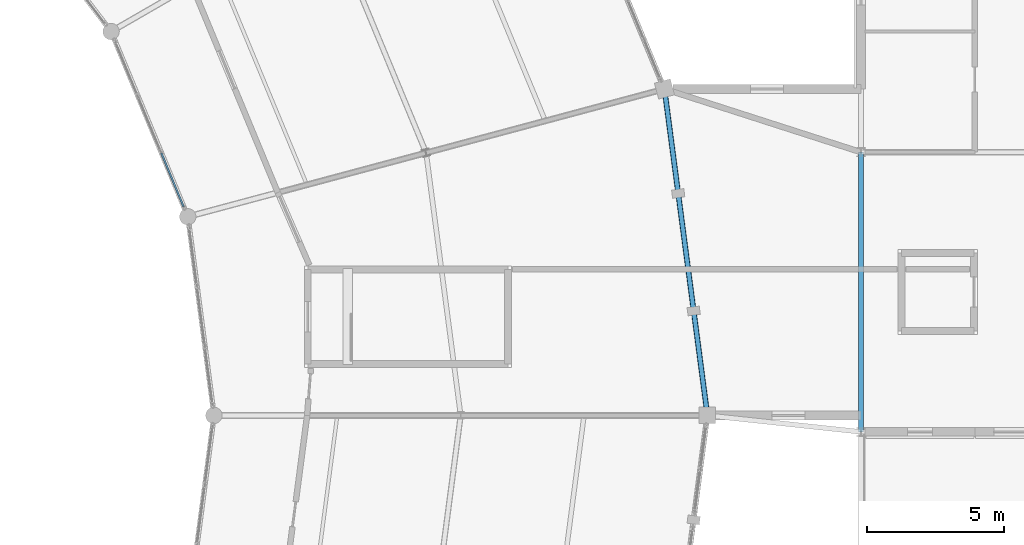
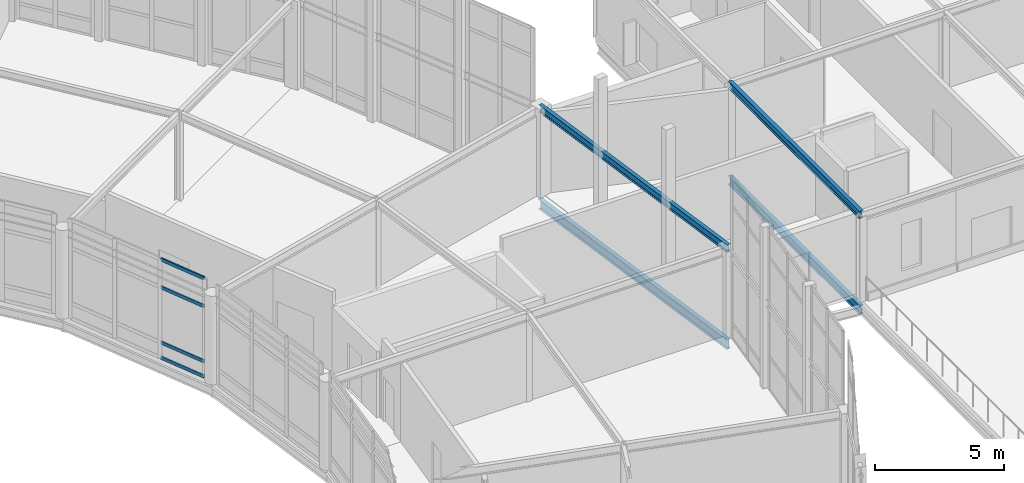
# One storey, part 120 of 185: 4 beams, 4 members, 1 element without a shape of its own.
"""IFC4 building model written with IfcOpenShell, lengths in metres."""

from ifc_helpers import new_model, si_unit, direction, frame, origin, origin_2d, place, context, subcontext, project, spatial, hollow_rectangle, i_section, extrude, material, material_profile, profile_set, type_object, element, aggregate, save


model = new_model("IFC4")

# Units and contexts
model_context = context("Model", 3, precision=1e-05, world=origin(), true_north=direction((0.0, 1.0)))
body_context = subcontext(model_context, "Body", "Model", "MODEL_VIEW")
ifc_project = project(units=[si_unit("LENGTHUNIT", "METRE"), si_unit("AREAUNIT", "SQUARE_METRE"), si_unit("VOLUMEUNIT", "CUBIC_METRE"), si_unit("PLANEANGLEUNIT", "RADIAN"), si_unit("MASSUNIT", "GRAM", prefix="KILO")], contexts=[model_context])

# Site, building, storey
site_placement = place(None, origin())
site = spatial("IfcSite", under=ifc_project, at=site_placement, CompositionType="ELEMENT")
building_placement = place(site_placement, origin())
building = spatial("IfcBuilding", under=site, at=building_placement, Name="Vondelvale Polytechnic", CompositionType="ELEMENT")
storey_placement = place(building_placement, frame((0.0, 0.0, 9.60009765625)))
storey = spatial("IfcBuildingStorey", under=building, at=storey_placement, Name="L02", CompositionType="ELEMENT", Elevation=9.60009765625)

# Beams
ifc_material_1 = material(Name="Steel 300PLUS (fy = 300 MPa)", Category="steel")
ifc_material_profile_1 = material_profile(ifc_material_1, i_section(OverallWidth=0.172119140625, OverallDepth=0.35888671875, WebThickness=0.008056640625, FlangeThickness=0.012939453125, FilletRadius=0.011474609375, at=origin_2d()), Name="360UB56.7")
ifc_profile_set_1 = profile_set([ifc_material_profile_1], Name="Steel 300PLUS (fy = 300 MPa)")
beam_type_1 = type_object("IfcBeamType", Name="BM-UB360H", PredefinedType="BEAM", material=ifc_profile_set_1)
beam_1_placement = place(storey_placement, frame((153.60009765625, 71.39990234375, 4.0205078125), z_axis=(0.0, 1.0, 0.0), x_axis=(-1.0, 0.0, 0.0)))
element("IfcBeam", 1, at=beam_1_placement, inside=storey, type_object=beam_type_1, Name="L02 RM B-15", PredefinedType="BEAM", context=body_context, shape_type="SweptSolid", body=[
    extrude(i_section(OverallWidth=0.172119140625, OverallDepth=0.35888671875, WebThickness=0.008056640625, FlangeThickness=0.012939453125, FilletRadius=0.011474609375, at=origin_2d()), origin(), (0.0, 0.0, 1.0), 10.2001953125),
])
ifc_material_profile_2 = material_profile(ifc_material_1, i_section(OverallWidth=0.1708984375, OverallDepth=0.35205078125, WebThickness=0.0068359375, FlangeThickness=0.009765625, FilletRadius=0.011474609375, at=origin_2d()), Name="360UB44.7")
ifc_profile_set_2 = profile_set([ifc_material_profile_2], Name="Steel 300PLUS (fy = 300 MPa)")
beam_type_2 = type_object("IfcBeamType", Name="BM-UB360L", PredefinedType="BEAM", material=ifc_profile_set_2)
beam_2_placement = place(storey_placement, frame((148.0, 72.0, 4.02392578125), z_axis=(-0.130522880875, 0.991445297315, 0.0), x_axis=(-0.991445297315, -0.130522880875, 0.0)))
element("IfcBeam", 2, at=beam_2_placement, inside=storey, type_object=beam_type_2, Name="L02 RE B-24", PredefinedType="BEAM", context=body_context, shape_type="SweptSolid", body=[
    extrude(i_section(OverallWidth=0.1708984375, OverallDepth=0.35205078125, WebThickness=0.0068359375, FlangeThickness=0.009765625, FilletRadius=0.011474609375, at=origin_2d()), origin(), (0.0, 0.0, 1.0), 12.008544921875),
])
ifc_material_profile_3 = material_profile(ifc_material_1, i_section(OverallWidth=0.177978515625, OverallDepth=0.406005859375, WebThickness=0.0078125, FlangeThickness=0.0126953125, FilletRadius=0.011474609375, at=origin_2d()), Name="410UB59.7")
ifc_profile_set_3 = profile_set([ifc_material_profile_3], Name="Steel 300PLUS (fy = 300 MPa)")
beam_type_3 = type_object("IfcBeamType", Name="BM-UB410", PredefinedType="BEAM", material=ifc_profile_set_3)
beam_3_placement = place(storey_placement, frame((153.60009765625, 71.39990234375, -0.483154296875), z_axis=(0.0, 1.0, 0.0), x_axis=(-1.0, 0.0, 0.0)))
element("IfcBeam", 3, at=beam_3_placement, inside=storey, type_object=beam_type_3, Name="L02 B B-14", PredefinedType="BEAM", context=body_context, shape_type="SweptSolid", body=[
    extrude(i_section(OverallWidth=0.177978515625, OverallDepth=0.406005859375, WebThickness=0.0078125, FlangeThickness=0.0126953125, FilletRadius=0.011474609375, at=origin_2d()), origin(), (0.0, 0.0, 1.0), 10.2001953125),
])
ifc_material_profile_4 = material_profile(ifc_material_1, i_section(OverallWidth=0.18994140625, OverallDepth=0.45703125, WebThickness=0.009033203125, FlangeThickness=0.014404296875, FilletRadius=0.011474609375, at=origin_2d()), Name="460UB74.6")
ifc_profile_set_4 = profile_set([ifc_material_profile_4], Name="Steel 300PLUS (fy = 300 MPa)")
beam_type_4 = type_object("IfcBeamType", Name="BM-UB460", PredefinedType="BEAM", material=ifc_profile_set_4)
beam_4_placement = place(storey_placement, frame((148.0, 72.0, -0.508544921875), z_axis=(-0.130522880875, 0.991445297315, 0.0), x_axis=(-0.991445297315, -0.130522880875, 0.0)))
element("IfcBeam", 4, at=beam_4_placement, inside=storey, type_object=beam_type_4, Name="L02 RB B-13", PredefinedType="BEAM", context=body_context, shape_type="SweptSolid", body=[
    extrude(i_section(OverallWidth=0.18994140625, OverallDepth=0.45703125, WebThickness=0.009033203125, FlangeThickness=0.014404296875, FilletRadius=0.011474609375, at=origin_2d()), origin(), (0.0, 0.0, 1.0), 12.008544921875),
])

# Curtain wall, members
ifc_material_2 = material(Name="Anodised extruded aluminium 6063-T6", Category="aluminium")
curtain_wall_type = type_object("IfcCurtainWallType", Name="CW-RING-CLOISTER", PredefinedType="NOTDEFINED", material=ifc_material_2)
curtain_wall_placement = place(storey_placement, origin())
curtain_wall = element("IfcCurtainWall", 5, at=curtain_wall_placement, inside=storey, type_object=curtain_wall_type, Name="L02 architectural curtain wall CW-03-081", PredefinedType="NOTDEFINED")
ifc_material_profile_5 = material_profile(ifc_material_2, hollow_rectangle(XDim=0.06494140625, YDim=0.159912109375, WallThickness=0.00341796875, at=origin_2d()), Name="CW-TRN-160x65")
ifc_profile_set_5 = profile_set([ifc_material_profile_5], Name="Anodised extruded aluminium 6063-T6")
member_type = type_object("IfcMemberType", Name="CW-TRN-70x160", PredefinedType="USERDEFINED", material=ifc_profile_set_5)
member_1_placement = place(storey_placement, frame((128.892822265625, 79.616455078125, 0.032470703125), z_axis=(-0.382726229306, 0.923861804277, 0.0), x_axis=(-0.923861804277, -0.382726229306, 0.0)))
member_1 = element("IfcMember", 6, at=member_1_placement, type_object=member_type, Name="CW-03-081 transom 1.1", ObjectType="TRANSOM", PredefinedType="USERDEFINED", context=body_context, shape_type="SweptSolid", body=[
    extrude(hollow_rectangle(XDim=0.06494140625, YDim=0.159912109375, WallThickness=0.00341796875, at=origin_2d()), origin(), (0.0, 0.0, 1.0), 2.111328125),
])
member_2_placement = place(storey_placement, frame((128.892822265625, 79.616455078125, 0.75), z_axis=(-0.382726229306, 0.923861804277, 0.0), x_axis=(-0.923861804277, -0.382726229306, 0.0)))
member_2 = element("IfcMember", 7, at=member_2_placement, type_object=member_type, Name="CW-03-081 transom 1.2", ObjectType="TRANSOM", PredefinedType="USERDEFINED", context=body_context, shape_type="SweptSolid", body=[
    extrude(hollow_rectangle(XDim=0.06494140625, YDim=0.159912109375, WallThickness=0.00341796875, at=origin_2d()), origin(), (0.0, 0.0, 1.0), 2.111328125),
])
member_3_placement = place(storey_placement, frame((128.892822265625, 79.616455078125, 3.363037109375), z_axis=(-0.382726229306, 0.923861804277, 0.0), x_axis=(-0.923861804277, -0.382726229306, 0.0)))
member_3 = element("IfcMember", 8, at=member_3_placement, type_object=member_type, Name="CW-03-081 transom 1.3", ObjectType="TRANSOM", PredefinedType="USERDEFINED", context=body_context, shape_type="SweptSolid", body=[
    extrude(hollow_rectangle(XDim=0.06494140625, YDim=0.159912109375, WallThickness=0.00341796875, at=origin_2d()), origin(), (0.0, 0.0, 1.0), 2.111328125),
])
member_4_placement = place(storey_placement, frame((128.892822265625, 79.616455078125, 4.6806640625), z_axis=(-0.382726229306, 0.923861804277, 0.0), x_axis=(-0.923861804277, -0.382726229306, 0.0)))
member_4 = element("IfcMember", 9, at=member_4_placement, type_object=member_type, Name="CW-03-081 transom 1.4", ObjectType="TRANSOM", PredefinedType="USERDEFINED", context=body_context, shape_type="SweptSolid", body=[
    extrude(hollow_rectangle(XDim=0.06494140625, YDim=0.159912109375, WallThickness=0.00341796875, at=origin_2d()), origin(), (0.0, 0.0, 1.0), 2.111328125),
])
aggregate(curtain_wall, [member_1, member_2, member_3, member_4])

save(model, "model.ifc")
